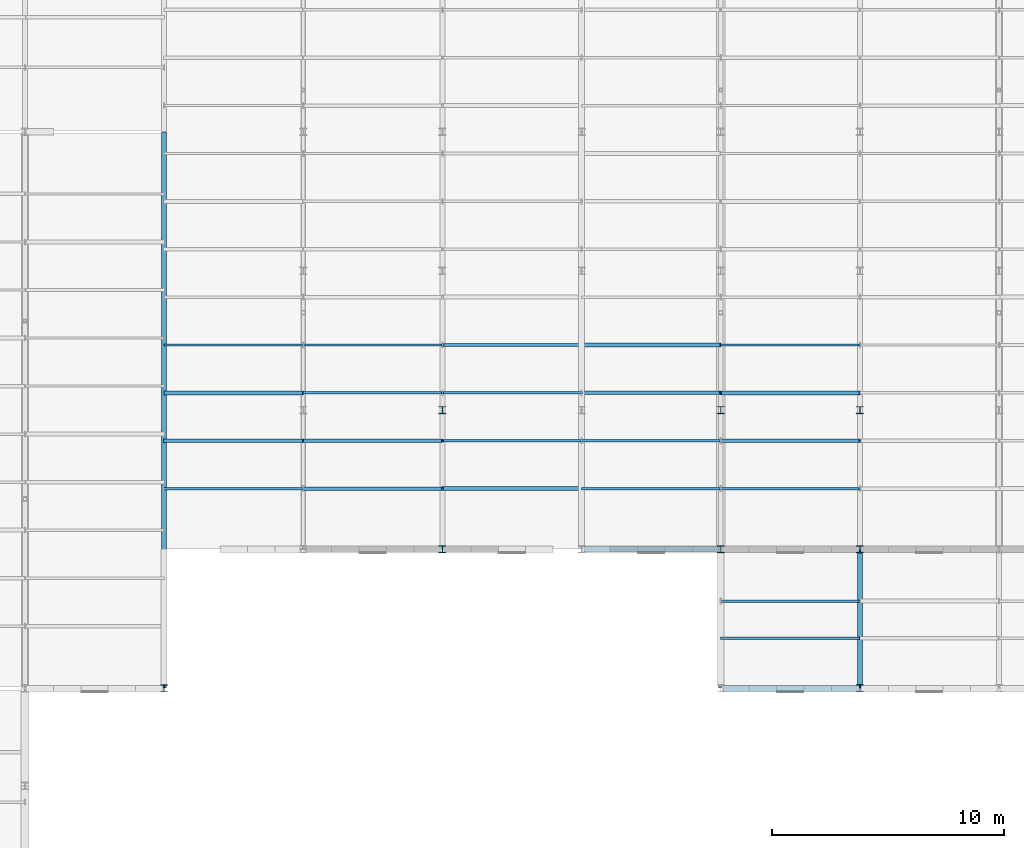
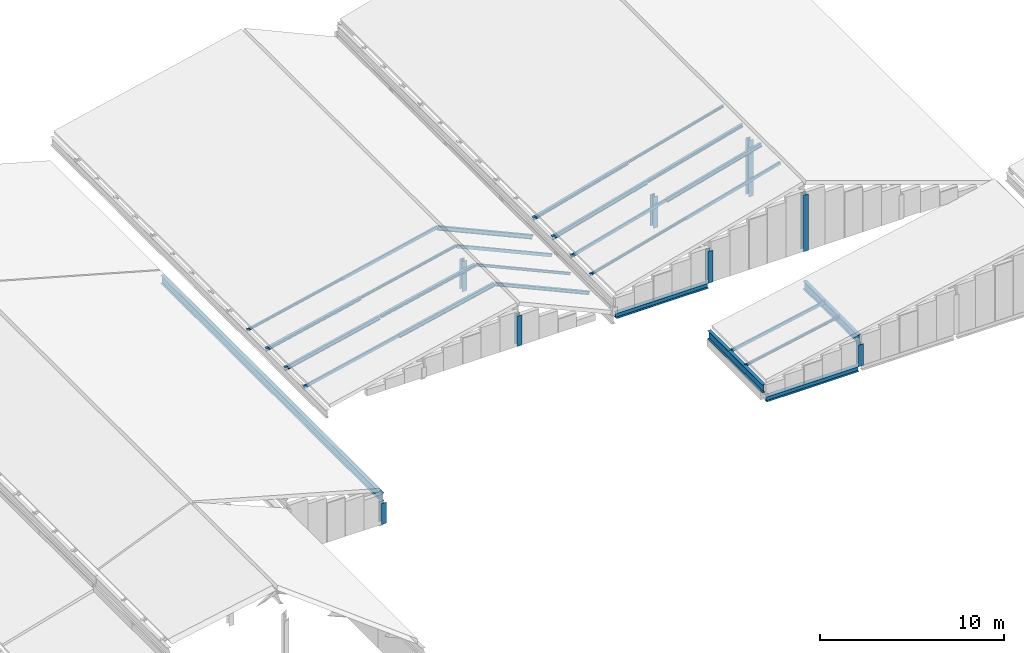
# One storey, part 9 of 74: 30 members, 5 beams.
"""IFC4 building model written with IfcOpenShell, lengths in metres."""

import ifcopenshell
import ifcopenshell.guid

model = None  # the IFC model being written
_history = None  # IfcOwnerHistory: only IFC2X3 demands one
_inside = {}  # id of a spatial element -> (the spatial element, [elements in it])
_under = {}  # id of a project, library or spatial element -> (it, [spatial elements below it])
_declared = {}  # id of a project -> (the project, [libraries it declares])
_typed = {}  # id of a type object -> (the type object, [elements of that type])
_made_of = {}  # id of a material, layer set ... -> (it, [elements and type objects made of it])


def new_model(schema):
    """Start an empty IFC model of exactly this schema.

    Asked for "IFC4X3", IfcOpenShell would pick the latest addendum, in which some entities
    have other attributes; the version numbers below select the first issue.
    IFC2X3 requires an IfcOwnerHistory on every rooted entity: one is made here for all.
    """
    global model, _history
    if schema == "IFC4X3":
        model = ifcopenshell.file(schema_version=(4, 3, 0, 0))
    else:
        model = ifcopenshell.file(schema=schema)
    _inside.clear()
    _under.clear()
    _declared.clear()
    _typed.clear()
    _made_of.clear()
    _history = None
    if model.schema == "IFC2X3":
        org = make("IfcOrganization", Name="unknown")
        user = make(
            "IfcPersonAndOrganization",
            ThePerson=make("IfcPerson", FamilyName="unknown"),
            TheOrganization=org,
        )
        app = make(
            "IfcApplication",
            ApplicationDeveloper=org,
            Version="unknown",
            ApplicationFullName="unknown",
            ApplicationIdentifier="unknown",
        )
        _history = make(
            "IfcOwnerHistory",
            OwningUser=user,
            OwningApplication=app,
            ChangeAction="ADDED",
            CreationDate=0,
        )
    return model


def make(cls, **values):
    """One entity of the class cls with the attributes given. An attribute that is None is left unset."""
    return model.create_entity(
        cls, **{name: value for name, value in values.items() if value is not None}
    )


def rooted(cls, **values):
    """An entity with a GlobalId (a new one), such as an element, a storey or a relation."""
    return make(cls, GlobalId=ifcopenshell.guid.new(), OwnerHistory=_history, **values)


def si_unit(unit_type, name, prefix=None):
    """IfcSIUnit, for example si_unit("LENGTHUNIT", "METRE", prefix="MILLI")."""
    return make("IfcSIUnit", UnitType=unit_type, Prefix=prefix, Name=name)


def assignment(units):
    """IfcUnitAssignment: the units of a project."""
    return None if units is None else make("IfcUnitAssignment", Units=units)


def point(xyz):
    """IfcCartesianPoint."""
    return None if xyz is None else make("IfcCartesianPoint", Coordinates=xyz)


def direction(xyz):
    """IfcDirection."""
    return None if xyz is None else make("IfcDirection", DirectionRatios=xyz)


def frame(location, z_axis=None, x_axis=None):
    """IfcAxis2Placement3D, a coordinate frame: its origin and axes. An axis left out is left unset."""
    return make(
        "IfcAxis2Placement3D",
        Location=point(location),
        Axis=direction(z_axis),
        RefDirection=direction(x_axis),
    )


def frame_2d(location, x_axis=None):
    """IfcAxis2Placement2D, a coordinate frame in the plane: its origin and x axis."""
    return make(
        "IfcAxis2Placement2D", Location=point(location), RefDirection=direction(x_axis)
    )


def origin():
    """The frame at (0, 0, 0) with its axes left unset."""
    return frame((0.0, 0.0, 0.0))


def origin_2d():
    """The frame at (0, 0) in the plane with its x axis left unset."""
    return frame_2d((0.0, 0.0))


def place(relative_to, where):
    """IfcLocalPlacement: puts the frame where relative to a parent placement (None: the world)."""
    return make(
        "IfcLocalPlacement", PlacementRelTo=relative_to, RelativePlacement=where
    )


def context(
    kind, dimensions, precision=None, world=None, true_north=None, identifier=None
):
    """IfcGeometricRepresentationContext, for example the 3D "Model" context."""
    return make(
        "IfcGeometricRepresentationContext",
        ContextIdentifier=identifier,
        ContextType=kind,
        CoordinateSpaceDimension=dimensions,
        Precision=precision,
        WorldCoordinateSystem=world,
        TrueNorth=true_north,
    )


def subcontext(parent, identifier, kind, view, scale=None):
    """IfcGeometricRepresentationSubContext, for example "Body" below "Model"."""
    return make(
        "IfcGeometricRepresentationSubContext",
        ContextIdentifier=identifier,
        ContextType=kind,
        ParentContext=parent,
        TargetScale=scale,
        TargetView=view,
    )


def project(units=None, contexts=None):
    """IfcProject with its units and contexts."""
    return rooted(
        "IfcProject",
        Name="project",
        RepresentationContexts=contexts,
        UnitsInContext=assignment(units),
    )


def spatial(cls, under=None, at=None, **own):
    """A site, building, storey or space (cls), placed at a placement, below another one or the project."""
    s = rooted(cls, ObjectPlacement=at, **own)
    if under is not None:
        _under.setdefault(under.id(), (under, []))[1].append(s)
    return s


def profile(cls, at=None, kind="AREA", **sizes):
    """A parametric profile (cls). Its sizes go by their IFC names, for example OverallWidth=200.0."""
    return make(cls, ProfileType=kind, Position=at, **sizes)


def hollow_rectangle(**sizes):
    """IfcRectangleHollowProfileDef."""
    return profile("IfcRectangleHollowProfileDef", **sizes)


def i_section(**sizes):
    """IfcIShapeProfileDef."""
    return profile("IfcIShapeProfileDef", **sizes)


def extrude(swept, where, along, depth):
    """IfcExtrudedAreaSolid: the profile swept, set in the frame where, extruded along a direction by depth."""
    return make(
        "IfcExtrudedAreaSolid",
        SweptArea=swept,
        Position=where,
        ExtrudedDirection=direction(along),
        Depth=depth,
    )


def shape(context_of_items, identifier, shape_type, items):
    """IfcShapeRepresentation: the items that make up one representation, for example the "Body"."""
    return make(
        "IfcShapeRepresentation",
        ContextOfItems=context_of_items,
        RepresentationIdentifier=identifier,
        RepresentationType=shape_type,
        Items=items,
    )


def material(Name=None, Category=None):
    """IfcMaterial."""
    return make("IfcMaterial", Name=Name, Category=Category)


def material_profile(
    of_material, cross_section, Name=None, Category=None, Priority=None
):
    """IfcMaterialProfile: a cross section and its material."""
    return make(
        "IfcMaterialProfile",
        Name=Name,
        Material=of_material,
        Profile=cross_section,
        Priority=Priority,
        Category=Category,
    )


def profile_set(profiles, Name=None, composite=None):
    """IfcMaterialProfileSet."""
    return make(
        "IfcMaterialProfileSet",
        Name=Name,
        MaterialProfiles=profiles,
        CompositeProfile=composite,
    )


def made_of(thing, what):
    """Note that an element or type object is made of a material, layer set ...; save() writes the relation."""
    if what is not None:
        _made_of.setdefault(what.id(), (what, []))[1].append(thing)
    return thing


def type_object(cls, material=None, **own):
    """A type object (cls), such as IfcWallType, which elements share."""
    return made_of(rooted(cls, **own), material)


def element(
    cls,
    number,
    at=None,
    inside=None,
    cuts=None,
    type_object=None,
    material=None,
    context=None,
    identifier="Body",
    shape_type=None,
    held_by="IfcProductDefinitionShape",
    body=None,
    shapes=None,
    **own,
):
    """One element of the class cls, such as IfcWall. Its Tag is "e" and its number.

    at: its placement. inside: the storey or other place that contains it. cuts: it is an
    opening in that element (IfcRelVoidsElement). A single representation is given by context,
    identifier, shape_type and body (its items); several are given by shapes. held_by: the class
    of the entity that holds the representations. save() writes the other relations.
    """
    e = rooted(cls, Tag="e%d" % number, ObjectPlacement=at, **own)
    if body is not None:
        shapes = [shape(context, identifier, shape_type, body)]
    if shapes is not None:
        e.Representation = make(held_by, Representations=shapes)
    if inside is not None:
        _inside.setdefault(inside.id(), (inside, []))[1].append(e)
    if cuts is not None:
        rooted(
            "IfcRelVoidsElement", RelatingBuildingElement=cuts, RelatedOpeningElement=e
        )
    if type_object is not None:
        _typed.setdefault(type_object.id(), (type_object, []))[1].append(e)
    return made_of(e, material)


def aggregate(whole, parts):
    """IfcRelAggregates: a whole, such as a stair, and the parts it consists of."""
    return rooted("IfcRelAggregates", RelatingObject=whole, RelatedObjects=parts)


def save(model, path):
    """Write the relations noted so far, then the file.

    IfcRelAggregates (storeys below a building ...), IfcRelContainedInSpatialStructure (elements
    in a storey), IfcRelDefinesByType, IfcRelAssociatesMaterial and IfcRelDeclares: one each for
    every whole, place, type object, material and project.
    """
    for whole, parts in _under.values():
        aggregate(whole, parts)
    for where, things in _inside.values():
        rooted(
            "IfcRelContainedInSpatialStructure",
            RelatedElements=things,
            RelatingStructure=where,
        )
    for kind, things in _typed.values():
        rooted("IfcRelDefinesByType", RelatedObjects=things, RelatingType=kind)
    for what, things in _made_of.values():
        rooted("IfcRelAssociatesMaterial", RelatedObjects=things, RelatingMaterial=what)
    for by, libraries in _declared.values():
        rooted("IfcRelDeclares", RelatingContext=by, RelatedDefinitions=libraries)
    model.write(path)


model = new_model("IFC4")

# Units and contexts
model_context = context("Model", 3, precision=1e-05, world=origin(), true_north=direction((0.0, 1.0)))
body_context = subcontext(model_context, "Body", "Model", "MODEL_VIEW")
ifc_project = project(units=[si_unit("LENGTHUNIT", "METRE"), si_unit("AREAUNIT", "SQUARE_METRE"), si_unit("VOLUMEUNIT", "CUBIC_METRE"), si_unit("PLANEANGLEUNIT", "RADIAN"), si_unit("MASSUNIT", "GRAM", prefix="KILO")], contexts=[model_context])

# Site, building, storey
site_placement = place(None, origin())
site = spatial("IfcSite", under=ifc_project, at=site_placement, CompositionType="ELEMENT")
building_placement = place(site_placement, origin())
building = spatial("IfcBuilding", under=site, at=building_placement, Name="Siltcreek Boulevard Central Fire Station", CompositionType="ELEMENT")
storey_placement = place(building_placement, frame((0.0, 0.0, 25.199951171875)))
storey = spatial("IfcBuildingStorey", under=building, at=storey_placement, Name="RF", CompositionType="ELEMENT", Elevation=25.199951171875)

# Beams
ifc_material_1 = material(Name="Structural steel ASTM A992 Gr50", Category="steel")
ifc_material_profile_1 = material_profile(ifc_material_1, i_section(OverallWidth=0.25390625, OverallDepth=0.35302734375, WebThickness=0.009521484375, FlangeThickness=0.016357421875, at=origin_2d()), Name="W360X91")
ifc_profile_set_1 = profile_set([ifc_material_profile_1], Name="Structural steel ASTM A992 Gr50")
beam_type_1 = type_object("IfcBeamType", Name="BM_W360X91", PredefinedType="BEAM", material=ifc_profile_set_1)
for number, where, z_axis, x_axis, name in (
    (1, (90.10009765625, 18.0, -15.37646484375), (1.0, 0.0, 0.0), (0.0, 1.0, 0.0), "Perimeter roof eave tie beam EB-01"),
    (2, (84.10009765625, 24.0, -11.37646484375), (1.0, 0.0, 0.0), (0.0, 1.0, 0.0), "Perimeter roof eave tie beam EB-10"),
):
    element("IfcBeam", number, at=place(storey_placement, frame(where, z_axis=z_axis, x_axis=x_axis)), inside=storey, type_object=beam_type_1, Name=name, PredefinedType="BEAM", context=body_context, shape_type="SweptSolid", body=[
        extrude(i_section(OverallWidth=0.25390625, OverallDepth=0.35302734375, WebThickness=0.009521484375, FlangeThickness=0.016357421875, at=origin_2d()), origin(), (0.0, 0.0, 1.0), 5.7998046875),
    ])
ifc_material_profile_2 = material_profile(ifc_material_1, i_section(OverallWidth=0.2109375, OverallDepth=0.5390625, WebThickness=0.01171875, FlangeThickness=0.018798828125, at=origin_2d()), Name="W530X109")
ifc_profile_set_2 = profile_set([ifc_material_profile_2], Name="Structural steel ASTM A992 Gr50")
beam_type_2 = type_object("IfcBeamType", Name="BM_W530X109", PredefinedType="BEAM", material=ifc_profile_set_2)
beam_placement = place(storey_placement, frame((66.0, 18.010009765625, -13.531982421875), z_axis=(0.0, 1.0, 0.0), x_axis=(-1.0, 0.0, 0.0)))
element("IfcBeam", 3, at=beam_placement, inside=storey, type_object=beam_type_2, Name="Pitched roof rafter beam RFB-013", PredefinedType="BEAM", context=body_context, shape_type="SweptSolid", body=[
    extrude(i_section(OverallWidth=0.2109375, OverallDepth=0.5390625, WebThickness=0.01171875, FlangeThickness=0.018798828125, at=origin_2d()), origin(), (0.0, 0.0, 1.0), 23.97998046875),
])
for number, where, z_axis, x_axis, name in (
    (4, (90.0, 18.010009765625, -14.697265625), (0.0, 1.0, 0.0), (-1.0, 0.0, 0.0), "Pitched roof rafter beam RFB-027"),
    (5, (96.0, 18.010009765625, -13.4970703125), (0.0, 1.0, 0.0), (-1.0, 0.0, 0.0), "Pitched roof rafter beam RFB-028"),
):
    element("IfcBeam", number, at=place(storey_placement, frame(where, z_axis=z_axis, x_axis=x_axis)), inside=storey, type_object=beam_type_2, Name=name, PredefinedType="BEAM", context=body_context, shape_type="SweptSolid", body=[
        extrude(i_section(OverallWidth=0.2109375, OverallDepth=0.5390625, WebThickness=0.01171875, FlangeThickness=0.018798828125, at=origin_2d()), origin(), (0.0, 0.0, 1.0), 5.97998046875),
    ])

# Members
ifc_material_profile_3 = material_profile(ifc_material_1, i_section(OverallWidth=0.304931640625, OverallDepth=0.30810546875, WebThickness=0.010009765625, FlangeThickness=0.015380859375, at=origin_2d()), Name="W310X97")
ifc_profile_set_3 = profile_set([ifc_material_profile_3], Name="Structural steel ASTM A992 Gr50")
member_type_1 = type_object("IfcMemberType", Name="CH_W310X97", PredefinedType="CHORD", material=ifc_profile_set_3)
member_1_placement = place(storey_placement, frame((66.0, 18.0, -15.199951171875), z_axis=(0.0, 0.0, 1.0), x_axis=(1.0, 0.0, 0.0)))
element("IfcMember", 6, at=member_1_placement, inside=storey, type_object=member_type_1, Name="Roof bearing truss post 0718", PredefinedType="CHORD", context=body_context, shape_type="SweptSolid", body=[
    extrude(i_section(OverallWidth=0.304931640625, OverallDepth=0.30810546875, WebThickness=0.010009765625, FlangeThickness=0.015380859375, at=origin_2d()), origin(), (0.0, 0.0, 1.0), 1.40234375),
])
for number, where, z_axis, x_axis, name in (
    (7, (78.0, 24.0, -11.199951171875), (0.0, 0.0, 1.0), (1.0, 0.0, 0.0), "Roof bearing truss post 0725"),
    (8, (78.0, 30.0, -11.199951171875), (0.0, 0.0, 1.0), (1.0, 0.0, 0.0), "Roof bearing truss post 0726"),
):
    element("IfcMember", number, at=place(storey_placement, frame(where, z_axis=z_axis, x_axis=x_axis)), inside=storey, type_object=member_type_1, Name=name, PredefinedType="CHORD", context=body_context, shape_type="SweptSolid", body=[
        extrude(i_section(OverallWidth=0.304931640625, OverallDepth=0.30810546875, WebThickness=0.010009765625, FlangeThickness=0.015380859375, at=origin_2d()), origin(), (0.0, 0.0, 1.0), 2.012451171875),
    ])
for number, where, z_axis, x_axis, name in (
    (9, (90.0, 24.0, -11.199951171875), (0.0, 0.0, 1.0), (1.0, 0.0, 0.0), "Roof bearing truss post 0738"),
    (10, (90.0, 30.0, -11.199951171875), (0.0, 0.0, 1.0), (1.0, 0.0, 0.0), "Roof bearing truss post 0739"),
):
    element("IfcMember", number, at=place(storey_placement, frame(where, z_axis=z_axis, x_axis=x_axis)), inside=storey, type_object=member_type_1, Name=name, PredefinedType="CHORD", context=body_context, shape_type="SweptSolid", body=[
        extrude(i_section(OverallWidth=0.304931640625, OverallDepth=0.30810546875, WebThickness=0.010009765625, FlangeThickness=0.015380859375, at=origin_2d()), origin(), (0.0, 0.0, 1.0), 2.103271484375),
    ])
member_2_placement = place(storey_placement, frame((96.0, 18.0, -15.199951171875), z_axis=(0.0, 0.0, 1.0), x_axis=(1.0, 0.0, 0.0)))
element("IfcMember", 11, at=member_2_placement, inside=storey, type_object=member_type_1, Name="Roof bearing truss post 0744", PredefinedType="CHORD", context=body_context, shape_type="SweptSolid", body=[
    extrude(i_section(OverallWidth=0.304931640625, OverallDepth=0.30810546875, WebThickness=0.010009765625, FlangeThickness=0.015380859375, at=origin_2d()), origin(), (0.0, 0.0, 1.0), 1.437255859375),
])
for number, where, z_axis, x_axis, name in (
    (12, (96.0, 24.0, -11.199951171875), (0.0, 0.0, 1.0), (1.0, 0.0, 0.0), "Roof bearing truss post 0745"),
    (13, (96.0, 30.0, -11.199951171875), (0.0, 0.0, 1.0), (1.0, 0.0, 0.0), "Roof bearing truss post 0746"),
):
    element("IfcMember", number, at=place(storey_placement, frame(where, z_axis=z_axis, x_axis=x_axis)), inside=storey, type_object=member_type_1, Name=name, PredefinedType="CHORD", context=body_context, shape_type="SweptSolid", body=[
        extrude(i_section(OverallWidth=0.304931640625, OverallDepth=0.30810546875, WebThickness=0.010009765625, FlangeThickness=0.015380859375, at=origin_2d()), origin(), (0.0, 0.0, 1.0), 3.753173828125),
    ])
ifc_material_2 = material(Name="Structural steel ASTM A500 GrC", Category="steel")
ifc_material_profile_4 = material_profile(ifc_material_2, hollow_rectangle(XDim=0.10009765625, YDim=0.199951171875, WallThickness=0.00634765625, at=origin_2d()), Name="HSS200X100X6.4")
ifc_profile_set_4 = profile_set([ifc_material_profile_4], Name="Structural steel ASTM A500 GrC")
member_type_2 = type_object("IfcMemberType", Name="PR_HSS200X100", PredefinedType="PURLIN", material=ifc_profile_set_4)
member_3_placement = place(storey_placement, frame((66.010009765625, 26.6142578125, -11.42041015625), z_axis=(0.975611035589, 0.0, 0.219506508416), x_axis=(0.0, 1.0, 0.0)))
element("IfcMember", 14, at=member_3_placement, inside=storey, type_object=member_type_2, Name="Sloped roof purlin PR-0075", PredefinedType="PURLIN", context=body_context, shape_type="SweptSolid", body=[
    extrude(hollow_rectangle(XDim=0.10009765625, YDim=0.199951171875, WallThickness=0.00634765625, at=origin_2d()), origin(), (0.0, 0.0, 1.0), 6.12939453125),
])
member_4_placement = place(storey_placement, frame((72.010009765625, 32.80712890625, -10.070556640625), z_axis=(0.975602505083, 0.0, 0.219544419369), x_axis=(0.0, 1.0, 0.0)))
element("IfcMember", 15, at=member_4_placement, inside=storey, type_object=member_type_2, Name="Sloped roof purlin PR-0091", PredefinedType="PURLIN", context=body_context, shape_type="SweptSolid", body=[
    extrude(hollow_rectangle(XDim=0.10009765625, YDim=0.199951171875, WallThickness=0.00634765625, at=origin_2d()), origin(), (0.0, 0.0, 1.0), 6.129638671875),
])
member_5_placement = place(storey_placement, frame((78.010009765625, 30.742919921875, -8.752197265625), z_axis=(0.911911752359, 0.0, -0.410386349565), x_axis=(0.0, 1.0, 0.0)))
element("IfcMember", 16, at=member_5_placement, inside=storey, type_object=member_type_2, Name="Sloped roof purlin PR-0103", PredefinedType="PURLIN", context=body_context, shape_type="SweptSolid", body=[
    extrude(hollow_rectangle(XDim=0.10009765625, YDim=0.199951171875, WallThickness=0.00634765625, at=origin_2d()), origin(), (0.0, 0.0, 1.0), 6.5576171875),
])
for number, where, z_axis, x_axis, name in (
    (17, (84.010009765625, 28.6787109375, -10.274169921875), (0.964203883152, 0.0, 0.265161972602), (0.0, 1.0, 0.0), "Sloped roof purlin PR-0115"),
    (18, (90.010009765625, 26.6142578125, -8.624267578125), (0.964203883152, 0.0, 0.265161972602), (0.0, 1.0, 0.0), "Sloped roof purlin PR-0127"),
):
    element("IfcMember", number, at=place(storey_placement, frame(where, z_axis=z_axis, x_axis=x_axis)), inside=storey, type_object=member_type_2, Name=name, PredefinedType="PURLIN", context=body_context, shape_type="SweptSolid", body=[
        extrude(hollow_rectangle(XDim=0.10009765625, YDim=0.199951171875, WallThickness=0.00634765625, at=origin_2d()), origin(), (0.0, 0.0, 1.0), 6.201904296875),
    ])
member_6_placement = place(storey_placement, frame((90.010009765625, 21.76318359375, -14.49853515625), z_axis=(0.980579135913, 0.0, 0.196123833871), x_axis=(0.0, 1.0, 0.0)))
element("IfcMember", 19, at=member_6_placement, inside=storey, type_object=member_type_2, Name="Sloped roof purlin PR-0167", PredefinedType="PURLIN", context=body_context, shape_type="SweptSolid", body=[
    extrude(hollow_rectangle(XDim=0.10009765625, YDim=0.199951171875, WallThickness=0.00634765625, at=origin_2d()), origin(), (0.0, 0.0, 1.0), 6.098388671875),
])
ifc_material_profile_5 = material_profile(ifc_material_1, i_section(OverallWidth=0.10205078125, OverallDepth=0.159912109375, WebThickness=0.006591796875, FlangeThickness=0.01025390625, at=origin_2d()), Name="W150X24")
ifc_profile_set_5 = profile_set([ifc_material_profile_5], Name="Structural steel ASTM A992 Gr50")
member_type_3 = type_object("IfcMemberType", Name="PR_W150X24", PredefinedType="PURLIN", material=ifc_profile_set_5)
member_7_placement = place(storey_placement, frame((66.010009765625, 32.80712890625, -11.39990234375), z_axis=(0.975611035589, 0.0, 0.219506508416), x_axis=(0.0, 1.0, 0.0)))
element("IfcMember", 20, at=member_7_placement, inside=storey, type_object=member_type_3, Name="Sloped roof purlin PR-0078", PredefinedType="PURLIN", context=body_context, shape_type="SweptSolid", body=[
    extrude(i_section(OverallWidth=0.10205078125, OverallDepth=0.159912109375, WebThickness=0.006591796875, FlangeThickness=0.01025390625, at=origin_2d()), origin(), (0.0, 0.0, 1.0), 6.12939453125),
])
member_8_placement = place(storey_placement, frame((72.010009765625, 30.742919921875, -10.050048828125), z_axis=(0.975602505083, 0.0, 0.219544419369), x_axis=(0.0, 1.0, 0.0)))
element("IfcMember", 21, at=member_8_placement, inside=storey, type_object=member_type_3, Name="Sloped roof purlin PR-0090", PredefinedType="PURLIN", context=body_context, shape_type="SweptSolid", body=[
    extrude(i_section(OverallWidth=0.10205078125, OverallDepth=0.159912109375, WebThickness=0.006591796875, FlangeThickness=0.01025390625, at=origin_2d()), origin(), (0.0, 0.0, 1.0), 6.129638671875),
])
member_9_placement = place(storey_placement, frame((78.010009765625, 28.6787109375, -8.730224609375), z_axis=(0.911911752359, 0.0, -0.410386349565), x_axis=(0.0, 1.0, 0.0)))
element("IfcMember", 22, at=member_9_placement, inside=storey, type_object=member_type_3, Name="Sloped roof purlin PR-0102", PredefinedType="PURLIN", context=body_context, shape_type="SweptSolid", body=[
    extrude(i_section(OverallWidth=0.10205078125, OverallDepth=0.159912109375, WebThickness=0.006591796875, FlangeThickness=0.01025390625, at=origin_2d()), origin(), (0.0, 0.0, 1.0), 6.5576171875),
])
for number, where, z_axis, x_axis, name in (
    (23, (84.010009765625, 26.6142578125, -10.25341796875), (0.964203883152, 0.0, 0.265161972602), (0.0, 1.0, 0.0), "Sloped roof purlin PR-0114"),
    (24, (90.010009765625, 32.80712890625, -8.603515625), (0.964203883152, 0.0, 0.265161972602), (0.0, 1.0, 0.0), "Sloped roof purlin PR-0130"),
):
    element("IfcMember", number, at=place(storey_placement, frame(where, z_axis=z_axis, x_axis=x_axis)), inside=storey, type_object=member_type_3, Name=name, PredefinedType="PURLIN", context=body_context, shape_type="SweptSolid", body=[
        extrude(i_section(OverallWidth=0.10205078125, OverallDepth=0.159912109375, WebThickness=0.006591796875, FlangeThickness=0.01025390625, at=origin_2d()), origin(), (0.0, 0.0, 1.0), 6.201904296875),
    ])
member_10_placement = place(storey_placement, frame((90.010009765625, 20.15673828125, -14.47802734375), z_axis=(0.980579135913, 0.0, 0.196123833871), x_axis=(0.0, 1.0, 0.0)))
element("IfcMember", 25, at=member_10_placement, inside=storey, type_object=member_type_3, Name="Sloped roof purlin PR-0166", PredefinedType="PURLIN", context=body_context, shape_type="SweptSolid", body=[
    extrude(i_section(OverallWidth=0.10205078125, OverallDepth=0.159912109375, WebThickness=0.006591796875, FlangeThickness=0.01025390625, at=origin_2d()), origin(), (0.0, 0.0, 1.0), 6.098388671875),
])
ifc_material_profile_6 = material_profile(ifc_material_1, i_section(OverallWidth=0.1650390625, OverallDepth=0.200927734375, WebThickness=0.006103515625, FlangeThickness=0.01025390625, at=origin_2d()), Name="W200X36")
ifc_profile_set_6 = profile_set([ifc_material_profile_6], Name="Structural steel ASTM A992 Gr50")
member_type_4 = type_object("IfcMemberType", Name="PR_W200X36", PredefinedType="PURLIN", material=ifc_profile_set_6)
member_11_placement = place(storey_placement, frame((66.010009765625, 30.742919921875, -11.4208984375), z_axis=(0.975611035589, 0.0, 0.219506508416), x_axis=(0.0, 1.0, 0.0)))
element("IfcMember", 26, at=member_11_placement, inside=storey, type_object=member_type_4, Name="Sloped roof purlin PR-0077", PredefinedType="PURLIN", context=body_context, shape_type="SweptSolid", body=[
    extrude(i_section(OverallWidth=0.1650390625, OverallDepth=0.200927734375, WebThickness=0.006103515625, FlangeThickness=0.01025390625, at=origin_2d()), origin(), (0.0, 0.0, 1.0), 6.12939453125),
])
member_12_placement = place(storey_placement, frame((72.010009765625, 28.6787109375, -10.071044921875), z_axis=(0.975602505083, 0.0, 0.219544419369), x_axis=(0.0, 1.0, 0.0)))
element("IfcMember", 27, at=member_12_placement, inside=storey, type_object=member_type_4, Name="Sloped roof purlin PR-0089", PredefinedType="PURLIN", context=body_context, shape_type="SweptSolid", body=[
    extrude(i_section(OverallWidth=0.1650390625, OverallDepth=0.200927734375, WebThickness=0.006103515625, FlangeThickness=0.01025390625, at=origin_2d()), origin(), (0.0, 0.0, 1.0), 6.129638671875),
])
member_13_placement = place(storey_placement, frame((78.010009765625, 26.6142578125, -8.752685546875), z_axis=(0.911911752359, 0.0, -0.410386349565), x_axis=(0.0, 1.0, 0.0)))
element("IfcMember", 28, at=member_13_placement, inside=storey, type_object=member_type_4, Name="Sloped roof purlin PR-0101", PredefinedType="PURLIN", context=body_context, shape_type="SweptSolid", body=[
    extrude(i_section(OverallWidth=0.1650390625, OverallDepth=0.200927734375, WebThickness=0.006103515625, FlangeThickness=0.01025390625, at=origin_2d()), origin(), (0.0, 0.0, 1.0), 6.5576171875),
])
for number, where, z_axis, x_axis, name in (
    (29, (84.010009765625, 32.80712890625, -10.274658203125), (0.964203883152, 0.0, 0.265161972602), (0.0, 1.0, 0.0), "Sloped roof purlin PR-0117"),
    (30, (90.010009765625, 30.742919921875, -8.624755859375), (0.964203883152, 0.0, 0.265161972602), (0.0, 1.0, 0.0), "Sloped roof purlin PR-0129"),
):
    element("IfcMember", number, at=place(storey_placement, frame(where, z_axis=z_axis, x_axis=x_axis)), inside=storey, type_object=member_type_4, Name=name, PredefinedType="PURLIN", context=body_context, shape_type="SweptSolid", body=[
        extrude(i_section(OverallWidth=0.1650390625, OverallDepth=0.200927734375, WebThickness=0.006103515625, FlangeThickness=0.01025390625, at=origin_2d()), origin(), (0.0, 0.0, 1.0), 6.201904296875),
    ])
ifc_material_profile_7 = material_profile(ifc_material_1, i_section(OverallWidth=0.14697265625, OverallDepth=0.261962890625, WebThickness=0.006591796875, FlangeThickness=0.01123046875, at=origin_2d()), Name="W250X39")
ifc_profile_set_7 = profile_set([ifc_material_profile_7], Name="Structural steel ASTM A992 Gr50")
member_type_5 = type_object("IfcMemberType", Name="PR_W250X39", PredefinedType="PURLIN", material=ifc_profile_set_7)
for number, where, z_axis, x_axis, name in (
    (31, (66.010009765625, 28.6787109375, -11.4521484375), (0.975611035589, 0.0, 0.219506508416), (0.0, 1.0, 0.0), "Sloped roof purlin PR-0076"),
    (32, (72.010009765625, 26.6142578125, -10.102294921875), (0.975611035589, 0.0, 0.219506508416), (0.0, 1.0, 0.0), "Sloped roof purlin PR-0088"),
):
    element("IfcMember", number, at=place(storey_placement, frame(where, z_axis=z_axis, x_axis=x_axis)), inside=storey, type_object=member_type_5, Name=name, PredefinedType="PURLIN", context=body_context, shape_type="SweptSolid", body=[
        extrude(i_section(OverallWidth=0.14697265625, OverallDepth=0.261962890625, WebThickness=0.006591796875, FlangeThickness=0.01123046875, at=origin_2d()), origin(), (0.0, 0.0, 1.0), 6.12939453125),
    ])
member_14_placement = place(storey_placement, frame((78.010009765625, 32.80712890625, -8.7861328125), z_axis=(0.911911752359, 0.0, -0.410386349565), x_axis=(0.0, 1.0, 0.0)))
element("IfcMember", 33, at=member_14_placement, inside=storey, type_object=member_type_5, Name="Sloped roof purlin PR-0104", PredefinedType="PURLIN", context=body_context, shape_type="SweptSolid", body=[
    extrude(i_section(OverallWidth=0.14697265625, OverallDepth=0.261962890625, WebThickness=0.006591796875, FlangeThickness=0.01123046875, at=origin_2d()), origin(), (0.0, 0.0, 1.0), 6.5576171875),
])
for number, where, z_axis, x_axis, name in (
    (34, (84.010009765625, 30.742919921875, -10.306396484375), (0.964203883152, 0.0, 0.265161972602), (0.0, 1.0, 0.0), "Sloped roof purlin PR-0116"),
    (35, (90.010009765625, 28.6787109375, -8.65625), (0.964213946995, 0.0, 0.265125374909), (0.0, 1.0, 0.0), "Sloped roof purlin PR-0128"),
):
    element("IfcMember", number, at=place(storey_placement, frame(where, z_axis=z_axis, x_axis=x_axis)), inside=storey, type_object=member_type_5, Name=name, PredefinedType="PURLIN", context=body_context, shape_type="SweptSolid", body=[
        extrude(i_section(OverallWidth=0.14697265625, OverallDepth=0.261962890625, WebThickness=0.006591796875, FlangeThickness=0.01123046875, at=origin_2d()), origin(), (0.0, 0.0, 1.0), 6.201904296875),
    ])

save(model, "model.ifc")
